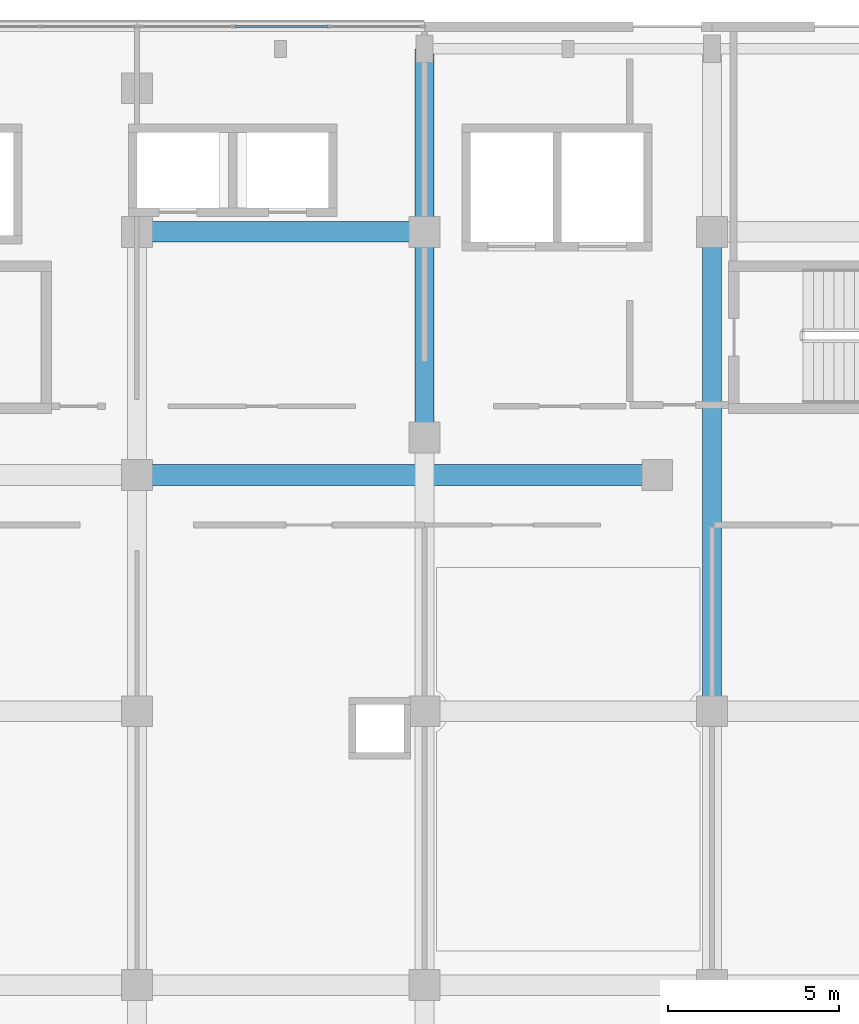
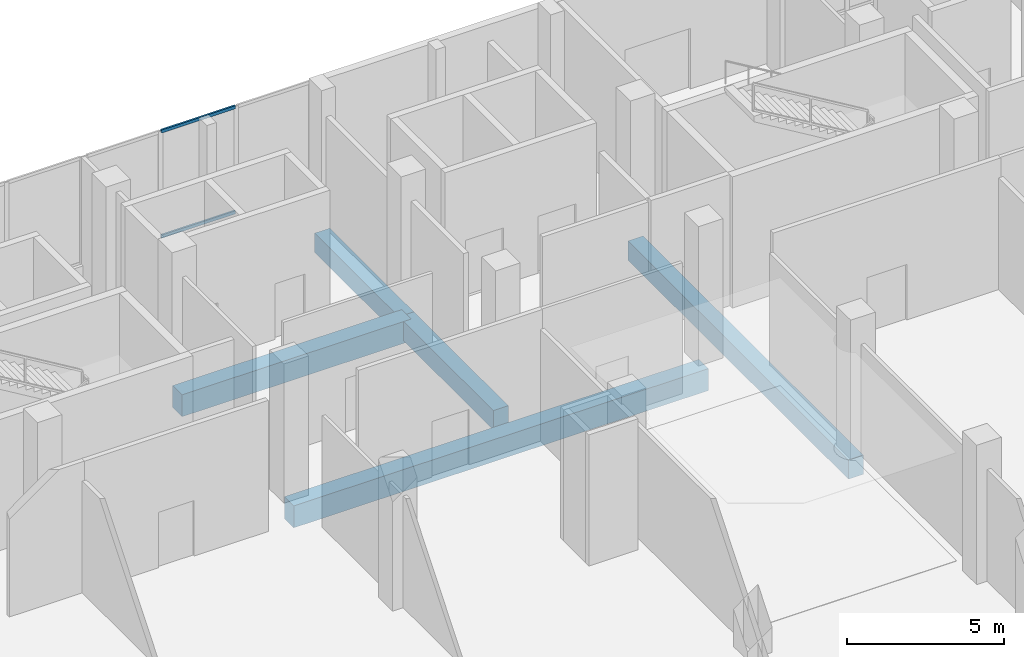
# One storey, part 93 of 158: 5 beams, 2 members, 1 element without a shape of its own.
"""IFC4 building model written with IfcOpenShell, lengths in metres."""

from ifc_helpers import new_model, si_unit, direction, frame, origin, origin_2d, place, context, subcontext, project, spatial, rectangle, hollow_rectangle, extrude, material, material_profile, profile_set, type_object, element, aggregate, save


model = new_model("IFC4")

# Units and contexts
model_context = context("Model", 3, precision=1e-05, world=origin(), true_north=direction((0.0, 1.0)))
body_context = subcontext(model_context, "Body", "Model", "MODEL_VIEW")
ifc_project = project(units=[si_unit("LENGTHUNIT", "METRE"), si_unit("AREAUNIT", "SQUARE_METRE"), si_unit("VOLUMEUNIT", "CUBIC_METRE"), si_unit("PLANEANGLEUNIT", "RADIAN"), si_unit("MASSUNIT", "GRAM", prefix="KILO")], contexts=[model_context])

# Site, building, storey
site_placement = place(None, origin())
site = spatial("IfcSite", under=ifc_project, at=site_placement, CompositionType="ELEMENT")
building_placement = place(site_placement, origin())
building = spatial("IfcBuilding", under=site, at=building_placement, Name="Selatvlak General Hospital", CompositionType="ELEMENT")
storey_placement = place(building_placement, origin())
storey = spatial("IfcBuildingStorey", under=building, at=storey_placement, Name="L00", CompositionType="ELEMENT", Elevation=0.0)

# Beams
ifc_material_1 = material(Name="Concrete C40/50", Category="concrete")
ifc_material_profile_1 = material_profile(ifc_material_1, rectangle(XDim=0.60009765625, YDim=0.85009765625, at=origin_2d()), Name="RC-BM 600x850")
ifc_profile_set_1 = profile_set([ifc_material_profile_1], Name="Concrete C40/50")
beam_type_1 = type_object("IfcBeamType", Name="BM-G01", PredefinedType="BEAM", material=ifc_profile_set_1)
beam_1_placement = place(storey_placement, frame((115.199951171875, 106.89990234375, -0.77490234375), z_axis=(1.0, 0.0, 0.0), x_axis=(0.0, 1.0, 0.0)))
element("IfcBeam", 1, at=beam_1_placement, inside=storey, type_object=beam_type_1, Name="Beam BMR-L00-0117", PredefinedType="BEAM", context=body_context, shape_type="SweptSolid", body=[
    extrude(rectangle(XDim=0.60009765625, YDim=0.85009765625, at=origin_2d()), origin(), (0.0, 0.0, 1.0), 15.199951171875),
])
beam_2_placement = place(storey_placement, frame((115.199951171875, 114.0, -0.77490234375), z_axis=(1.0, 0.0, 0.0), x_axis=(0.0, 1.0, 0.0)))
element("IfcBeam", 2, at=beam_2_placement, inside=storey, type_object=beam_type_1, Name="Beam BMR-L00-0140", PredefinedType="BEAM", context=body_context, shape_type="SweptSolid", body=[
    extrude(rectangle(XDim=0.60009765625, YDim=0.85009765625, at=origin_2d()), origin(), (0.0, 0.0, 1.0), 8.400146484375),
])
ifc_material_profile_2 = material_profile(ifc_material_1, rectangle(XDim=0.550048828125, YDim=0.75, at=origin_2d()), Name="RC-BM 550x750")
ifc_profile_set_2 = profile_set([ifc_material_profile_2], Name="Concrete C40/50")
beam_type_2 = type_object("IfcBeamType", Name="BM-G02", PredefinedType="BEAM", material=ifc_profile_set_2)
beam_3_placement = place(storey_placement, frame((123.60009765625, 108.0, -0.72509765625), z_axis=(0.0, 1.0, 0.0), x_axis=(-1.0, 0.0, 0.0)))
element("IfcBeam", 3, at=beam_3_placement, inside=storey, type_object=beam_type_2, Name="Beam BMR-L00-0248", PredefinedType="BEAM", context=body_context, shape_type="SweptSolid", body=[
    extrude(rectangle(XDim=0.550048828125, YDim=0.75, at=origin_2d()), origin(), (0.0, 0.0, 1.0), 6.0),
])
beam_4_placement = place(storey_placement, frame((123.60009765625, 114.0, -0.72509765625), z_axis=(0.0, 1.0, 0.0), x_axis=(-1.0, 0.0, 0.0)))
element("IfcBeam", 4, at=beam_4_placement, inside=storey, type_object=beam_type_2, Name="Beam BMR-L00-0249", PredefinedType="BEAM", context=body_context, shape_type="SweptSolid", body=[
    extrude(rectangle(XDim=0.550048828125, YDim=0.75, at=origin_2d()), origin(), (0.0, 0.0, 1.0), 5.35009765625),
])
beam_5_placement = place(storey_placement, frame((132.0, 100.0, -0.72509765625), z_axis=(0.0, 1.0, 0.0), x_axis=(-1.0, 0.0, 0.0)))
element("IfcBeam", 5, at=beam_5_placement, inside=storey, type_object=beam_type_2, Name="Beam BMR-L00-0256", PredefinedType="BEAM", context=body_context, shape_type="SweptSolid", body=[
    extrude(rectangle(XDim=0.550048828125, YDim=0.75, at=origin_2d()), origin(), (0.0, 0.0, 1.0), 14.0),
])

# Curtain wall, members
ifc_material_2 = material(Name="Solar-control Low-E double glazing", Category="glass")
curtain_wall_type = type_object("IfcCurtainWallType", Name="CW-CW-02", PredefinedType="USERDEFINED", material=ifc_material_2)
curtain_wall_placement = place(storey_placement, origin())
curtain_wall = element("IfcCurtainWall", 6, at=curtain_wall_placement, inside=storey, type_object=curtain_wall_type, Name="Glazed facade curtain wall CW-L00-0009", ObjectType="UNITISED CURTAIN WALL", PredefinedType="USERDEFINED")
ifc_material_3 = material(Name="Dark anodised aluminium mullion", Category="aluminium")
ifc_material_profile_3 = material_profile(ifc_material_3, hollow_rectangle(XDim=0.06494140625, YDim=0.1201171875, WallThickness=0.00390625, at=origin_2d()), Name="AL-TRN 65x120x4")
ifc_profile_set_3 = profile_set([ifc_material_profile_3], Name="Dark anodised aluminium mullion")
member_type = type_object("IfcMemberType", Name="CWT-01", PredefinedType="USERDEFINED", material=ifc_profile_set_3)
member_1_placement = place(storey_placement, frame((118.06982421875, 120.0, 0.972412109375), z_axis=(1.0, 0.0, 0.0), x_axis=(0.0, 1.0, 0.0)))
member_1 = element("IfcMember", 7, at=member_1_placement, type_object=member_type, Name="CW-02 transom 2.1", ObjectType="TRANSOM", PredefinedType="USERDEFINED", context=body_context, shape_type="SweptSolid", body=[
    extrude(hollow_rectangle(XDim=0.06494140625, YDim=0.1201171875, WallThickness=0.00390625, at=origin_2d()), origin(), (0.0, 0.0, 1.0), 2.708251953125),
])
member_2_placement = place(storey_placement, frame((118.06982421875, 120.0, 5.047607421875), z_axis=(1.0, 0.0, 0.0), x_axis=(0.0, 1.0, 0.0)))
member_2 = element("IfcMember", 8, at=member_2_placement, type_object=member_type, Name="CW-02 transom 2.2", ObjectType="TRANSOM", PredefinedType="USERDEFINED", context=body_context, shape_type="SweptSolid", body=[
    extrude(hollow_rectangle(XDim=0.06494140625, YDim=0.1201171875, WallThickness=0.00390625, at=origin_2d()), origin(), (0.0, 0.0, 1.0), 2.708251953125),
])
aggregate(curtain_wall, [member_1, member_2])

save(model, "model.ifc")
